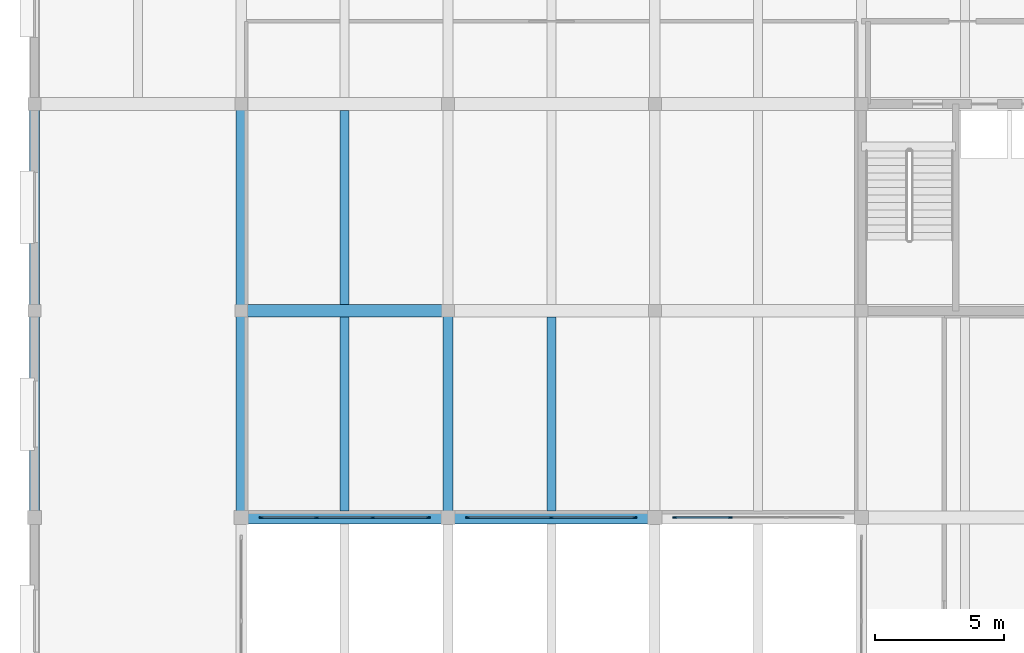
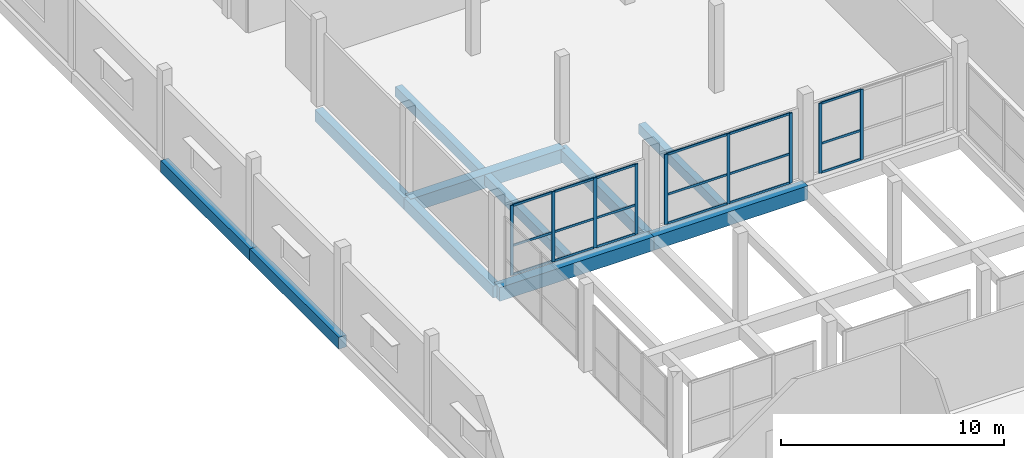
# One storey, part 8 of 47: 27 members, 11 beams, 3 elements without a shape of their own.
"""IFC4 building model written with IfcOpenShell, lengths in metres."""

from ifc_helpers import new_model, si_unit, direction, frame, origin, origin_2d, place, context, subcontext, project, spatial, rectangle, extrude, material, material_profile, profile_set, type_object, element, aggregate, save


model = new_model("IFC4")

# Units and contexts
model_context = context("Model", 3, precision=1e-05, world=origin(), true_north=direction((0.0, 1.0)))
body_context = subcontext(model_context, "Body", "Model", "MODEL_VIEW")
ifc_project = project(units=[si_unit("LENGTHUNIT", "METRE"), si_unit("AREAUNIT", "SQUARE_METRE"), si_unit("VOLUMEUNIT", "CUBIC_METRE"), si_unit("PLANEANGLEUNIT", "RADIAN"), si_unit("MASSUNIT", "GRAM", prefix="KILO")], contexts=[model_context])

# Site, building, storey
site_placement = place(None, origin())
site = spatial("IfcSite", under=ifc_project, at=site_placement, CompositionType="ELEMENT")
building_placement = place(site_placement, origin())
building = spatial("IfcBuilding", under=site, at=building_placement, Name="Vharandega Faculty of Natural Sciences", CompositionType="ELEMENT")
storey_placement = place(building_placement, frame((0.0, 0.0, 5.39990234375)))
storey = spatial("IfcBuildingStorey", under=building, at=storey_placement, Name="L01", CompositionType="ELEMENT", Elevation=5.39990234375)

# Curtain wall, members
ifc_material_1 = material(Name="Aluminium and solar-control glass curtain wall", Category="aluminium")
curtain_wall_type_1 = type_object("IfcCurtainWallType", Name="Unitised Curtain Wall System CW-11", PredefinedType="NOTDEFINED", material=ifc_material_1)
curtain_wall_1_placement = place(storey_placement, origin())
curtain_wall_1 = element("IfcCurtainWall", 1, at=curtain_wall_1_placement, inside=storey, type_object=curtain_wall_type_1, Name="Curtain Wall CW-L01-122", PredefinedType="NOTDEFINED")
ifc_material_2 = material(Name="Thermally broken aluminium 6063-T6", Category="aluminium")
ifc_material_profile_1 = material_profile(ifc_material_2, rectangle(XDim=0.06005859375, YDim=0.159912109375, at=origin_2d()), Name="ALU 60x160")
ifc_profile_set_1 = profile_set([ifc_material_profile_1], Name="Thermally broken aluminium 6063-T6")
member_type_1 = type_object("IfcMemberType", Name="CW Mullion 60x160", PredefinedType="MULLION", material=ifc_profile_set_1)
member_1_placement = place(storey_placement, frame((8.77001953125, 32.0, 0.0), z_axis=(0.0, 0.0, 1.0), x_axis=(0.0, 1.0, 0.0)))
member_1 = element("IfcMember", 2, at=member_1_placement, type_object=member_type_1, Name="CW-11 mullion 1", PredefinedType="MULLION", context=body_context, shape_type="SweptSolid", body=[
    extrude(rectangle(XDim=0.06005859375, YDim=0.159912109375, at=origin_2d()), origin(), (0.0, 0.0, 1.0), 3.840087890625),
])
member_2_placement = place(storey_placement, frame((10.913330078125, 32.0, 0.0), z_axis=(0.0, 0.0, 1.0), x_axis=(0.0, 1.0, 0.0)))
member_2 = element("IfcMember", 3, at=member_2_placement, type_object=member_type_1, Name="CW-11 mullion 2", PredefinedType="MULLION", context=body_context, shape_type="SweptSolid", body=[
    extrude(rectangle(XDim=0.06005859375, YDim=0.159912109375, at=origin_2d()), origin(), (0.0, 0.0, 1.0), 3.840087890625),
])
member_3_placement = place(storey_placement, frame((13.086669921875, 32.0, 0.0), z_axis=(0.0, 0.0, 1.0), x_axis=(0.0, 1.0, 0.0)))
member_3 = element("IfcMember", 4, at=member_3_placement, type_object=member_type_1, Name="CW-11 mullion 3", PredefinedType="MULLION", context=body_context, shape_type="SweptSolid", body=[
    extrude(rectangle(XDim=0.06005859375, YDim=0.159912109375, at=origin_2d()), origin(), (0.0, 0.0, 1.0), 3.840087890625),
])
member_4_placement = place(storey_placement, frame((15.22998046875, 32.0, 0.0), z_axis=(0.0, 0.0, 1.0), x_axis=(0.0, 1.0, 0.0)))
member_4 = element("IfcMember", 5, at=member_4_placement, type_object=member_type_1, Name="CW-11 mullion 4", PredefinedType="MULLION", context=body_context, shape_type="SweptSolid", body=[
    extrude(rectangle(XDim=0.06005859375, YDim=0.159912109375, at=origin_2d()), origin(), (0.0, 0.0, 1.0), 3.840087890625),
])

ifc_material_3 = material(Name="Aluminium and solar-control glass curtain wall", Category="aluminium")
curtain_wall_type_2 = type_object("IfcCurtainWallType", Name="Unitised Curtain Wall System CW-13", PredefinedType="NOTDEFINED", material=ifc_material_3)
curtain_wall_2_placement = place(storey_placement, origin())
curtain_wall_2 = element("IfcCurtainWall", 6, at=curtain_wall_2_placement, inside=storey, type_object=curtain_wall_type_2, Name="Curtain Wall CW-L01-124", PredefinedType="NOTDEFINED")
member_5_placement = place(storey_placement, frame((16.77001953125, 32.0, 0.0), z_axis=(0.0, 0.0, 1.0), x_axis=(0.0, 1.0, 0.0)))
member_5 = element("IfcMember", 7, at=member_5_placement, type_object=member_type_1, Name="CW-13 mullion 1", PredefinedType="MULLION", context=body_context, shape_type="SweptSolid", body=[
    extrude(rectangle(XDim=0.06005859375, YDim=0.159912109375, at=origin_2d()), origin(), (0.0, 0.0, 1.0), 3.840087890625),
])
member_6_placement = place(storey_placement, frame((20.0, 32.0, 0.0), z_axis=(0.0, 0.0, 1.0), x_axis=(0.0, 1.0, 0.0)))
member_6 = element("IfcMember", 8, at=member_6_placement, type_object=member_type_1, Name="CW-13 mullion 2", PredefinedType="MULLION", context=body_context, shape_type="SweptSolid", body=[
    extrude(rectangle(XDim=0.06005859375, YDim=0.159912109375, at=origin_2d()), origin(), (0.0, 0.0, 1.0), 3.840087890625),
])
member_7_placement = place(storey_placement, frame((23.22998046875, 32.0, 0.0), z_axis=(0.0, 0.0, 1.0), x_axis=(0.0, 1.0, 0.0)))
member_7 = element("IfcMember", 9, at=member_7_placement, type_object=member_type_1, Name="CW-13 mullion 3", PredefinedType="MULLION", context=body_context, shape_type="SweptSolid", body=[
    extrude(rectangle(XDim=0.06005859375, YDim=0.159912109375, at=origin_2d()), origin(), (0.0, 0.0, 1.0), 3.840087890625),
])

ifc_material_4 = material(Name="Aluminium and solar-control glass curtain wall", Category="aluminium")
curtain_wall_type_3 = type_object("IfcCurtainWallType", Name="Unitised Curtain Wall System CW-15", PredefinedType="NOTDEFINED", material=ifc_material_4)
curtain_wall_3_placement = place(storey_placement, origin())
curtain_wall_3 = element("IfcCurtainWall", 10, at=curtain_wall_3_placement, inside=storey, type_object=curtain_wall_type_3, Name="Curtain Wall CW-L01-126", PredefinedType="NOTDEFINED")
member_8_placement = place(storey_placement, frame((24.77001953125, 32.0, 0.0), z_axis=(0.0, 0.0, 1.0), x_axis=(0.0, 1.0, 0.0)))
member_8 = element("IfcMember", 11, at=member_8_placement, type_object=member_type_1, Name="CW-15 mullion 1", PredefinedType="MULLION", context=body_context, shape_type="SweptSolid", body=[
    extrude(rectangle(XDim=0.06005859375, YDim=0.159912109375, at=origin_2d()), origin(), (0.0, 0.0, 1.0), 3.840087890625),
])
member_9_placement = place(storey_placement, frame((26.913330078125, 32.0, 0.0), z_axis=(0.0, 0.0, 1.0), x_axis=(0.0, 1.0, 0.0)))
member_9 = element("IfcMember", 12, at=member_9_placement, type_object=member_type_1, Name="CW-15 mullion 2", PredefinedType="MULLION", context=body_context, shape_type="SweptSolid", body=[
    extrude(rectangle(XDim=0.06005859375, YDim=0.159912109375, at=origin_2d()), origin(), (0.0, 0.0, 1.0), 3.840087890625),
])

# Member
ifc_material_5 = material(Name="Thermally broken aluminium 6063-T6", Category="aluminium")
ifc_material_profile_2 = material_profile(ifc_material_5, rectangle(XDim=0.06005859375, YDim=0.1201171875, at=origin_2d()), Name="ALU 60x120")
ifc_profile_set_2 = profile_set([ifc_material_profile_2], Name="Thermally broken aluminium 6063-T6")
member_type_2 = type_object("IfcMemberType", Name="CW Transom 60x120", PredefinedType="USERDEFINED", material=ifc_profile_set_2)
member_10_placement = place(storey_placement, frame((8.800048828125, 32.0, 0.030029296875), z_axis=(1.0, 0.0, 0.0), x_axis=(0.0, 1.0, 0.0)))
member_10 = element("IfcMember", 13, at=member_10_placement, type_object=member_type_2, Name="CW-11 transom 1.1", ObjectType="TRANSOM", PredefinedType="USERDEFINED", context=body_context, shape_type="SweptSolid", body=[
    extrude(rectangle(XDim=0.06005859375, YDim=0.1201171875, at=origin_2d()), origin(), (0.0, 0.0, 1.0), 2.083251953125),
])

member_11_placement = place(storey_placement, frame((8.800048828125, 32.0, 1.61279296875), z_axis=(1.0, 0.0, 0.0), x_axis=(0.0, 1.0, 0.0)))
member_11 = element("IfcMember", 14, at=member_11_placement, type_object=member_type_2, Name="CW-11 transom 1.2", ObjectType="TRANSOM", PredefinedType="USERDEFINED", context=body_context, shape_type="SweptSolid", body=[
    extrude(rectangle(XDim=0.06005859375, YDim=0.1201171875, at=origin_2d()), origin(), (0.0, 0.0, 1.0), 2.083251953125),
])

member_12_placement = place(storey_placement, frame((8.800048828125, 32.0, 3.81005859375), z_axis=(1.0, 0.0, 0.0), x_axis=(0.0, 1.0, 0.0)))
member_12 = element("IfcMember", 15, at=member_12_placement, type_object=member_type_2, Name="CW-11 transom 1.3", ObjectType="TRANSOM", PredefinedType="USERDEFINED", context=body_context, shape_type="SweptSolid", body=[
    extrude(rectangle(XDim=0.06005859375, YDim=0.1201171875, at=origin_2d()), origin(), (0.0, 0.0, 1.0), 2.083251953125),
])

member_13_placement = place(storey_placement, frame((10.943359375, 32.0, 0.030029296875), z_axis=(1.0, 0.0, 0.0), x_axis=(0.0, 1.0, 0.0)))
member_13 = element("IfcMember", 16, at=member_13_placement, type_object=member_type_2, Name="CW-11 transom 2.1", ObjectType="TRANSOM", PredefinedType="USERDEFINED", context=body_context, shape_type="SweptSolid", body=[
    extrude(rectangle(XDim=0.06005859375, YDim=0.1201171875, at=origin_2d()), origin(), (0.0, 0.0, 1.0), 2.11328125),
])

member_14_placement = place(storey_placement, frame((10.943359375, 32.0, 1.61279296875), z_axis=(1.0, 0.0, 0.0), x_axis=(0.0, 1.0, 0.0)))
member_14 = element("IfcMember", 17, at=member_14_placement, type_object=member_type_2, Name="CW-11 transom 2.2", ObjectType="TRANSOM", PredefinedType="USERDEFINED", context=body_context, shape_type="SweptSolid", body=[
    extrude(rectangle(XDim=0.06005859375, YDim=0.1201171875, at=origin_2d()), origin(), (0.0, 0.0, 1.0), 2.11328125),
])

member_15_placement = place(storey_placement, frame((10.943359375, 32.0, 3.81005859375), z_axis=(1.0, 0.0, 0.0), x_axis=(0.0, 1.0, 0.0)))
member_15 = element("IfcMember", 18, at=member_15_placement, type_object=member_type_2, Name="CW-11 transom 2.3", ObjectType="TRANSOM", PredefinedType="USERDEFINED", context=body_context, shape_type="SweptSolid", body=[
    extrude(rectangle(XDim=0.06005859375, YDim=0.1201171875, at=origin_2d()), origin(), (0.0, 0.0, 1.0), 2.11328125),
])

member_16_placement = place(storey_placement, frame((13.11669921875, 32.0, 0.030029296875), z_axis=(1.0, 0.0, 0.0), x_axis=(0.0, 1.0, 0.0)))
member_16 = element("IfcMember", 19, at=member_16_placement, type_object=member_type_2, Name="CW-11 transom 3.1", ObjectType="TRANSOM", PredefinedType="USERDEFINED", context=body_context, shape_type="SweptSolid", body=[
    extrude(rectangle(XDim=0.06005859375, YDim=0.1201171875, at=origin_2d()), origin(), (0.0, 0.0, 1.0), 2.083251953125),
])

member_17_placement = place(storey_placement, frame((13.11669921875, 32.0, 1.61279296875), z_axis=(1.0, 0.0, 0.0), x_axis=(0.0, 1.0, 0.0)))
member_17 = element("IfcMember", 20, at=member_17_placement, type_object=member_type_2, Name="CW-11 transom 3.2", ObjectType="TRANSOM", PredefinedType="USERDEFINED", context=body_context, shape_type="SweptSolid", body=[
    extrude(rectangle(XDim=0.06005859375, YDim=0.1201171875, at=origin_2d()), origin(), (0.0, 0.0, 1.0), 2.083251953125),
])

member_18_placement = place(storey_placement, frame((13.11669921875, 32.0, 3.81005859375), z_axis=(1.0, 0.0, 0.0), x_axis=(0.0, 1.0, 0.0)))
member_18 = element("IfcMember", 21, at=member_18_placement, type_object=member_type_2, Name="CW-11 transom 3.3", ObjectType="TRANSOM", PredefinedType="USERDEFINED", context=body_context, shape_type="SweptSolid", body=[
    extrude(rectangle(XDim=0.06005859375, YDim=0.1201171875, at=origin_2d()), origin(), (0.0, 0.0, 1.0), 2.083251953125),
])

aggregate(curtain_wall_1, [member_1, member_2, member_3, member_4, member_10, member_11, member_12, member_13, member_14, member_15, member_16, member_17, member_18])

member_19_placement = place(storey_placement, frame((16.800048828125, 32.0, 0.030029296875), z_axis=(1.0, 0.0, 0.0), x_axis=(0.0, 1.0, 0.0)))
member_19 = element("IfcMember", 22, at=member_19_placement, type_object=member_type_2, Name="CW-13 transom 1.1", ObjectType="TRANSOM", PredefinedType="USERDEFINED", context=body_context, shape_type="SweptSolid", body=[
    extrude(rectangle(XDim=0.06005859375, YDim=0.1201171875, at=origin_2d()), origin(), (0.0, 0.0, 1.0), 3.169921875),
])

member_20_placement = place(storey_placement, frame((16.800048828125, 32.0, 1.61279296875), z_axis=(1.0, 0.0, 0.0), x_axis=(0.0, 1.0, 0.0)))
member_20 = element("IfcMember", 23, at=member_20_placement, type_object=member_type_2, Name="CW-13 transom 1.2", ObjectType="TRANSOM", PredefinedType="USERDEFINED", context=body_context, shape_type="SweptSolid", body=[
    extrude(rectangle(XDim=0.06005859375, YDim=0.1201171875, at=origin_2d()), origin(), (0.0, 0.0, 1.0), 3.169921875),
])

member_21_placement = place(storey_placement, frame((16.800048828125, 32.0, 3.81005859375), z_axis=(1.0, 0.0, 0.0), x_axis=(0.0, 1.0, 0.0)))
member_21 = element("IfcMember", 24, at=member_21_placement, type_object=member_type_2, Name="CW-13 transom 1.3", ObjectType="TRANSOM", PredefinedType="USERDEFINED", context=body_context, shape_type="SweptSolid", body=[
    extrude(rectangle(XDim=0.06005859375, YDim=0.1201171875, at=origin_2d()), origin(), (0.0, 0.0, 1.0), 3.169921875),
])

member_22_placement = place(storey_placement, frame((20.030029296875, 32.0, 0.030029296875), z_axis=(1.0, 0.0, 0.0), x_axis=(0.0, 1.0, 0.0)))
member_22 = element("IfcMember", 25, at=member_22_placement, type_object=member_type_2, Name="CW-13 transom 2.1", ObjectType="TRANSOM", PredefinedType="USERDEFINED", context=body_context, shape_type="SweptSolid", body=[
    extrude(rectangle(XDim=0.06005859375, YDim=0.1201171875, at=origin_2d()), origin(), (0.0, 0.0, 1.0), 3.169921875),
])

member_23_placement = place(storey_placement, frame((20.030029296875, 32.0, 1.61279296875), z_axis=(1.0, 0.0, 0.0), x_axis=(0.0, 1.0, 0.0)))
member_23 = element("IfcMember", 26, at=member_23_placement, type_object=member_type_2, Name="CW-13 transom 2.2", ObjectType="TRANSOM", PredefinedType="USERDEFINED", context=body_context, shape_type="SweptSolid", body=[
    extrude(rectangle(XDim=0.06005859375, YDim=0.1201171875, at=origin_2d()), origin(), (0.0, 0.0, 1.0), 3.169921875),
])

member_24_placement = place(storey_placement, frame((20.030029296875, 32.0, 3.81005859375), z_axis=(1.0, 0.0, 0.0), x_axis=(0.0, 1.0, 0.0)))
member_24 = element("IfcMember", 27, at=member_24_placement, type_object=member_type_2, Name="CW-13 transom 2.3", ObjectType="TRANSOM", PredefinedType="USERDEFINED", context=body_context, shape_type="SweptSolid", body=[
    extrude(rectangle(XDim=0.06005859375, YDim=0.1201171875, at=origin_2d()), origin(), (0.0, 0.0, 1.0), 3.169921875),
])

aggregate(curtain_wall_2, [member_5, member_6, member_7, member_19, member_20, member_21, member_22, member_23, member_24])

member_25_placement = place(storey_placement, frame((24.800048828125, 32.0, 0.030029296875), z_axis=(1.0, 0.0, 0.0), x_axis=(0.0, 1.0, 0.0)))
member_25 = element("IfcMember", 28, at=member_25_placement, type_object=member_type_2, Name="CW-15 transom 1.1", ObjectType="TRANSOM", PredefinedType="USERDEFINED", context=body_context, shape_type="SweptSolid", body=[
    extrude(rectangle(XDim=0.06005859375, YDim=0.1201171875, at=origin_2d()), origin(), (0.0, 0.0, 1.0), 2.083251953125),
])

member_26_placement = place(storey_placement, frame((24.800048828125, 32.0, 1.61279296875), z_axis=(1.0, 0.0, 0.0), x_axis=(0.0, 1.0, 0.0)))
member_26 = element("IfcMember", 29, at=member_26_placement, type_object=member_type_2, Name="CW-15 transom 1.2", ObjectType="TRANSOM", PredefinedType="USERDEFINED", context=body_context, shape_type="SweptSolid", body=[
    extrude(rectangle(XDim=0.06005859375, YDim=0.1201171875, at=origin_2d()), origin(), (0.0, 0.0, 1.0), 2.083251953125),
])

member_27_placement = place(storey_placement, frame((24.800048828125, 32.0, 3.81005859375), z_axis=(1.0, 0.0, 0.0), x_axis=(0.0, 1.0, 0.0)))
member_27 = element("IfcMember", 30, at=member_27_placement, type_object=member_type_2, Name="CW-15 transom 1.3", ObjectType="TRANSOM", PredefinedType="USERDEFINED", context=body_context, shape_type="SweptSolid", body=[
    extrude(rectangle(XDim=0.06005859375, YDim=0.1201171875, at=origin_2d()), origin(), (0.0, 0.0, 1.0), 2.083251953125),
])

aggregate(curtain_wall_3, [member_8, member_9, member_25, member_26, member_27])

# Beams
ifc_material_6 = material(Name="Concrete C40/50", Category="concrete")
ifc_material_profile_3 = material_profile(ifc_material_6, rectangle(XDim=0.39990234375, YDim=0.64990234375, at=origin_2d()), Name="RC 400x650")
ifc_profile_set_3 = profile_set([ifc_material_profile_3], Name="Concrete C40/50")
beam_type_1 = type_object("IfcBeamType", Name="Podium Floor Beam 400x650", PredefinedType="BEAM", material=ifc_profile_set_3)
for number, where, z_axis, x_axis, name in (
    (31, (0.0, 32.0, -0.60498046875), (0.0, 1.0, 0.0), (-1.0, 0.0, 0.0), "Beam L01 1/E-F"),
    (32, (0.0, 40.0, -0.60498046875), (0.0, 1.0, 0.0), (-1.0, 0.0, 0.0), "Beam L01 1/F-G"),
    (33, (8.0, 32.0, -0.60498046875), (0.0, 1.0, 0.0), (-1.0, 0.0, 0.0), "Beam L01 2/E-F"),
    (34, (8.0, 40.0, -0.60498046875), (0.0, 1.0, 0.0), (-1.0, 0.0, 0.0), "Beam L01 2/F-G"),
    (35, (16.0, 32.0, -0.60498046875), (0.0, 1.0, 0.0), (-1.0, 0.0, 0.0), "Beam L01 3/E-F"),
):
    element("IfcBeam", number, at=place(storey_placement, frame(where, z_axis=z_axis, x_axis=x_axis)), inside=storey, type_object=beam_type_1, Name=name, PredefinedType="BEAM", context=body_context, shape_type="SweptSolid", body=[
        extrude(rectangle(XDim=0.39990234375, YDim=0.64990234375, at=origin_2d()), origin(), (0.0, 0.0, 1.0), 8.0),
    ])
ifc_material_7 = material(Name="Concrete C40/50", Category="concrete")
ifc_material_profile_4 = material_profile(ifc_material_7, rectangle(XDim=0.5, YDim=0.75, at=origin_2d()), Name="RC 500x750")
ifc_profile_set_4 = profile_set([ifc_material_profile_4], Name="Concrete C40/50")
beam_type_2 = type_object("IfcBeamType", Name="Podium Primary Beam 500x750", PredefinedType="BEAM", material=ifc_profile_set_4)
for number, where, z_axis, x_axis, name in (
    (36, (8.0, 32.0, -0.65478515625), (1.0, 0.0, 0.0), (0.0, 1.0, 0.0), "Beam L01 E/2-3"),
    (37, (16.0, 32.0, -0.65478515625), (1.0, 0.0, 0.0), (0.0, 1.0, 0.0), "Beam L01 E/3-4"),
    (38, (8.0, 40.0, -0.65478515625), (1.0, 0.0, 0.0), (0.0, 1.0, 0.0), "Beam L01 F/2-3"),
):
    element("IfcBeam", number, at=place(storey_placement, frame(where, z_axis=z_axis, x_axis=x_axis)), inside=storey, type_object=beam_type_2, Name=name, PredefinedType="BEAM", context=body_context, shape_type="SweptSolid", body=[
        extrude(rectangle(XDim=0.5, YDim=0.75, at=origin_2d()), origin(), (0.0, 0.0, 1.0), 8.0),
    ])
ifc_material_8 = material(Name="Concrete C40/50", Category="concrete")
ifc_material_profile_5 = material_profile(ifc_material_8, rectangle(XDim=0.35009765625, YDim=0.550048828125, at=origin_2d()), Name="RC 350x550")
ifc_profile_set_5 = profile_set([ifc_material_profile_5], Name="Concrete C40/50")
beam_type_3 = type_object("IfcBeamType", Name="Podium Secondary Beam 350x550", PredefinedType="JOIST", material=ifc_profile_set_5)
for number, where, z_axis, x_axis, name in (
    (39, (12.0, 32.25, -0.554931640625), (0.0, 1.0, 0.0), (-1.0, 0.0, 0.0), "Secondary Joist L01 2-3/E-F"),
    (40, (12.0, 40.25, -0.554931640625), (0.0, 1.0, 0.0), (-1.0, 0.0, 0.0), "Secondary Joist L01 2-3/F-G"),
    (41, (20.0, 32.25, -0.554931640625), (0.0, 1.0, 0.0), (-1.0, 0.0, 0.0), "Secondary Joist L01 3-4/E-F"),
):
    element("IfcBeam", number, at=place(storey_placement, frame(where, z_axis=z_axis, x_axis=x_axis)), inside=storey, type_object=beam_type_3, Name=name, PredefinedType="JOIST", context=body_context, shape_type="SweptSolid", body=[
        extrude(rectangle(XDim=0.35009765625, YDim=0.550048828125, at=origin_2d()), origin(), (0.0, 0.0, 1.0), 7.5),
    ])

save(model, "model.ifc")
